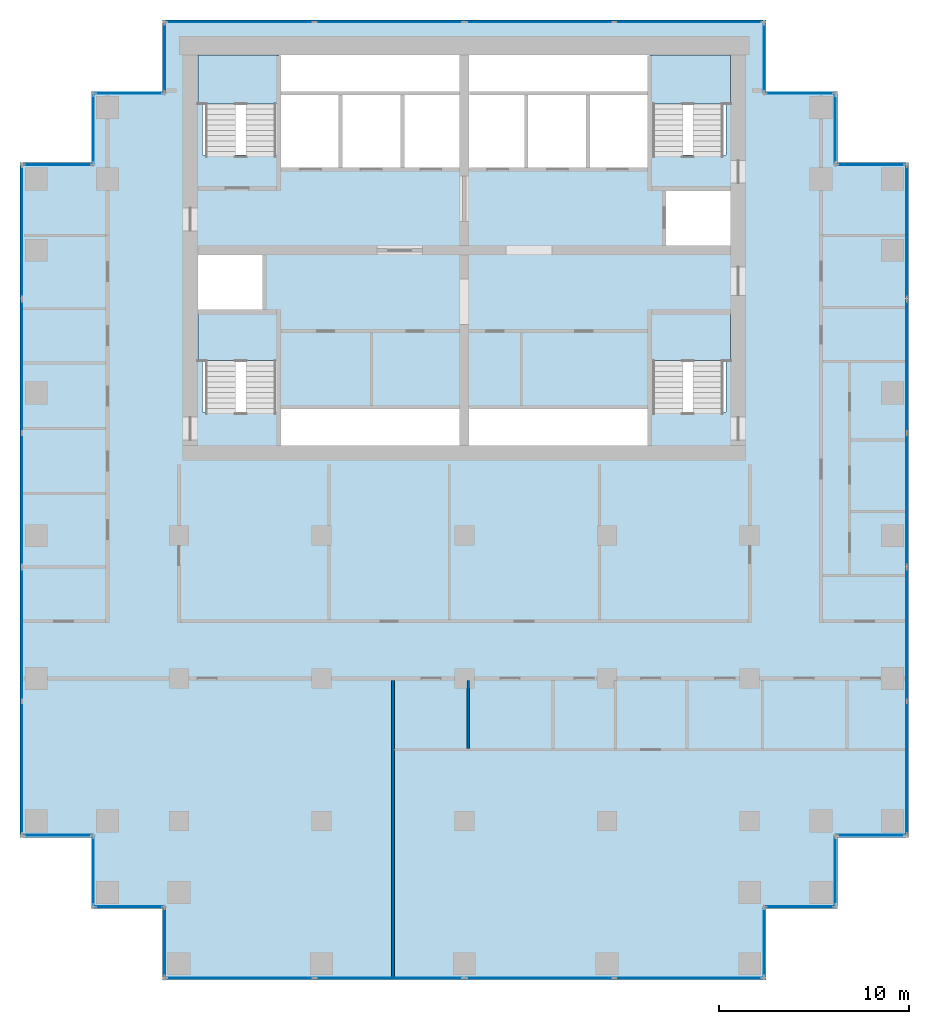
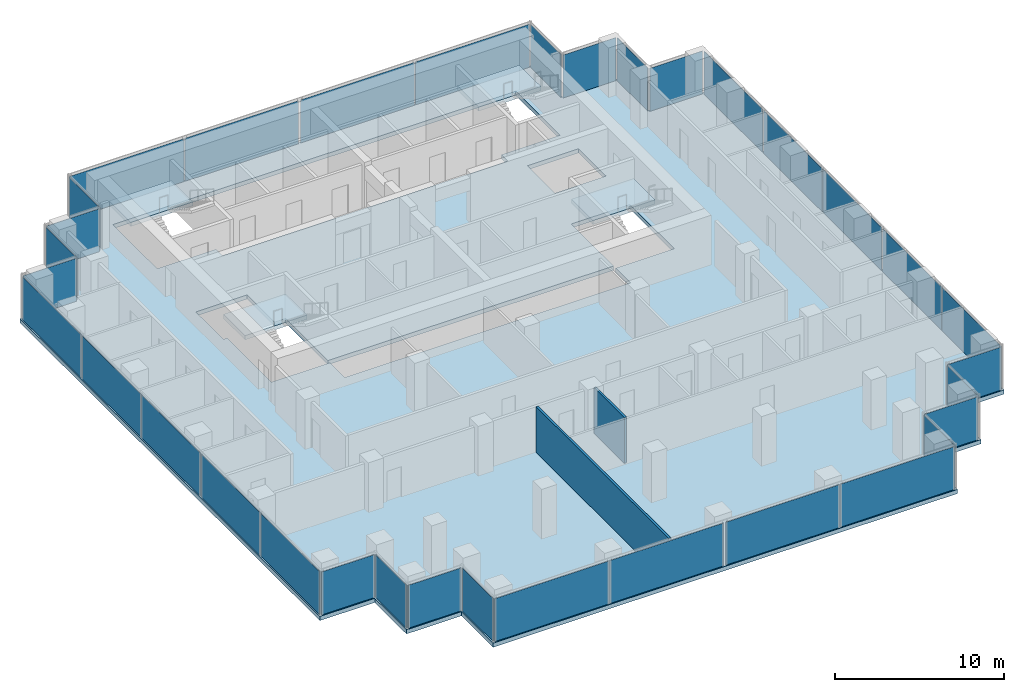
# One storey, part 6 of 10: 34 plates, 5 slabs, 2 walls, 30 elements without a shape of their own.
"""IFC4 building model written with IfcOpenShell, lengths in metres."""

from ifc_helpers import new_model, si_unit, direction, frame, frame_2d, origin, origin_2d, place, context, subcontext, project, spatial, polyline, rectangle, outline, extrude, material, layer, layer_set, type_object, element, aggregate, save


model = new_model("IFC4")

# Units and contexts
model_context = context("Model", 3, precision=1e-05, world=origin(), true_north=direction((0.0, 1.0)))
body_context = subcontext(model_context, "Body", "Model", "MODEL_VIEW")
ifc_project = project(units=[si_unit("LENGTHUNIT", "METRE"), si_unit("AREAUNIT", "SQUARE_METRE"), si_unit("VOLUMEUNIT", "CUBIC_METRE"), si_unit("PLANEANGLEUNIT", "RADIAN"), si_unit("MASSUNIT", "GRAM", prefix="KILO")], contexts=[model_context])

# Site, building, storey
site_placement = place(None, origin())
site = spatial("IfcSite", under=ifc_project, at=site_placement, CompositionType="ELEMENT")
building_placement = place(site_placement, origin())
building = spatial("IfcBuilding", under=site, at=building_placement, Name="Pilkhan Gate Tower", CompositionType="ELEMENT")
storey_placement = place(building_placement, frame((0.0, 0.0, 162.10009765625)))
storey = spatial("IfcBuildingStorey", under=building, at=storey_placement, Name="L41", CompositionType="ELEMENT", Elevation=162.10009765625)

# Slab
ifc_material_1 = material(Name="Concrete C40/50", Category="concrete")
ifc_layer_1 = layer(ifc_material_1, 0.300048828125)
ifc_layer_set_1 = layer_set([ifc_layer_1], Name="Flat plate slab FP300")
slab_type_1 = type_object("IfcSlabType", Name="Flat plate slab FP300", PredefinedType="FLOOR", material=ifc_layer_set_1)
slab_1_placement = place(storey_placement, frame((0.0, 0.0, -0.300048828125)))
element("IfcSlab", 1, at=slab_1_placement, inside=storey, type_object=slab_type_1, Name="Floor slab L41", PredefinedType="FLOOR", context=body_context, shape_type="SweptSolid", body=[
    extrude(outline(polyline([(94.60009765625, 47.89990234375), (90.85009765625, 47.89990234375), (90.85009765625, 44.14990234375), (59.14990234375, 44.14990234375), (59.14990234375, 47.89990234375), (55.39990234375, 47.89990234375), (55.39990234375, 51.64990234375), (51.64990234375, 51.64990234375), (51.64990234375, 87.10009765625), (55.39990234375, 87.10009765625), (55.39990234375, 90.85009765625), (59.14990234375, 90.85009765625), (59.14990234375, 94.60009765625), (90.85009765625, 94.60009765625), (90.85009765625, 90.85009765625), (94.60009765625, 90.85009765625), (94.60009765625, 87.10009765625), (98.35009765625, 87.10009765625), (98.35009765625, 51.64990234375), (94.60009765625, 51.64990234375), (94.60009765625, 47.89990234375)]), holes=[polyline([(75.0, 72.25), (84.75, 72.25), (84.75, 74.0), (88.75, 74.0), (88.75, 79.25), (84.75, 79.25), (84.75, 74.25), (75.0, 74.25), (65.25, 74.25), (65.25, 79.25), (64.5, 79.25), (64.5, 82.5), (61.25, 82.5), (61.0, 82.5), (61.0, 79.25), (61.25, 79.25), (61.25, 74.0), (65.25, 74.0), (65.25, 72.25), (75.0, 72.25)]), polyline([(68.5, 86.75), (71.75, 86.75), (75.0, 86.75), (78.25, 86.75), (81.5, 86.75), (84.75, 86.75), (84.75, 87.5), (88.75, 87.5), (88.75, 92.75), (84.75, 92.75), (75.0, 92.75), (65.25, 92.75), (61.25, 92.75), (61.25, 87.5), (65.25, 87.5), (65.25, 86.75), (68.5, 86.75)]), polyline([(85.5, 85.75), (85.5, 82.5), (88.75, 82.5), (89.0, 82.5), (89.0, 85.75), (88.75, 85.75), (85.5, 85.75)])]), origin(), (0.0, 0.0, 1.0), 0.300048828125),
])

# Curtain wall, plates
ifc_material_2 = material(Name="Pale anodised aluminium, clear low-iron double glazing", Category="aluminium")
curtain_wall_type = type_object("IfcCurtainWallType", Name="Office unitised curtain wall CW-O1", PredefinedType="USERDEFINED", material=ifc_material_2)
curtain_wall_1_placement = place(storey_placement, origin())
curtain_wall_1 = element("IfcCurtainWall", 2, at=curtain_wall_1_placement, inside=storey, type_object=curtain_wall_type, Name="Office unitised curtain wall CW-O1 L41 E", ObjectType="UNITISED CURTAIN WALL", PredefinedType="USERDEFINED")
ifc_material_3 = material(Name="Clear low-iron double glazing", Category="glass")
ifc_layer_2 = layer(ifc_material_3, 0.0400390625)
ifc_layer_set_2 = layer_set([ifc_layer_2], Name="Glass panel CW-O1 40")
plate_type = type_object("IfcPlateType", Name="Glass panel CW-O1 40", PredefinedType="CURTAIN_PANEL", material=ifc_layer_set_2)
plate_1_placement = place(storey_placement, frame((98.25, 55.29248046875, -0.000244140625), z_axis=(0.0, 0.0, 1.0), x_axis=(0.0, 1.0, 0.0)))
plate_1 = element("IfcPlate", 3, at=plate_1_placement, type_object=plate_type, Name="CW-O1 panel 1", PredefinedType="CURTAIN_PANEL", context=body_context, shape_type="SweptSolid", body=[
    extrude(rectangle(XDim=6.945068359375, YDim=0.0400390625, at=origin_2d()), origin(), (0.0, 0.0, 1.0), 3.10009765625),
])
plate_2_placement = place(storey_placement, frame((98.25, 62.3076171875, -0.000244140625), z_axis=(0.0, 0.0, 1.0), x_axis=(0.0, 1.0, 0.0)))
plate_2 = element("IfcPlate", 4, at=plate_2_placement, type_object=plate_type, Name="CW-O1 panel 2", PredefinedType="CURTAIN_PANEL", context=body_context, shape_type="SweptSolid", body=[
    extrude(rectangle(XDim=6.945068359375, YDim=0.0400390625, at=origin_2d()), origin(), (0.0, 0.0, 1.0), 3.10009765625),
])
aggregate(curtain_wall_1, [plate_1, plate_2])

curtain_wall_2_placement = place(storey_placement, origin())
curtain_wall_2 = element("IfcCurtainWall", 5, at=curtain_wall_2_placement, inside=storey, type_object=curtain_wall_type, Name="Office unitised curtain wall CW-O1 L41 E", ObjectType="UNITISED CURTAIN WALL", PredefinedType="USERDEFINED")
plate_3_placement = place(storey_placement, frame((98.25, 69.392578125, -0.000244140625), z_axis=(0.0, 0.0, 1.0), x_axis=(0.0, 1.0, 0.0)))
plate_3 = element("IfcPlate", 6, at=plate_3_placement, type_object=plate_type, Name="CW-O1 panel 1", PredefinedType="CURTAIN_PANEL", context=body_context, shape_type="SweptSolid", body=[
    extrude(rectangle(XDim=6.945068359375, YDim=0.0400390625, at=origin_2d()), origin(), (0.0, 0.0, 1.0), 3.10009765625),
])
plate_4_placement = place(storey_placement, frame((98.25, 76.407470703125, -0.000244140625), z_axis=(0.0, 0.0, 1.0), x_axis=(0.0, 1.0, 0.0)))
plate_4 = element("IfcPlate", 7, at=plate_4_placement, type_object=plate_type, Name="CW-O1 panel 2", PredefinedType="CURTAIN_PANEL", context=body_context, shape_type="SweptSolid", body=[
    extrude(rectangle(XDim=6.945068359375, YDim=0.0400390625, at=origin_2d()), origin(), (0.0, 0.0, 1.0), 3.10009765625),
])
aggregate(curtain_wall_2, [plate_3, plate_4])

# Curtain wall, plate
curtain_wall_3_placement = place(storey_placement, origin())
curtain_wall_3 = element("IfcCurtainWall", 8, at=curtain_wall_3_placement, inside=storey, type_object=curtain_wall_type, Name="Office unitised curtain wall CW-O1 L41 E", ObjectType="UNITISED CURTAIN WALL", PredefinedType="USERDEFINED")
plate_5_placement = place(storey_placement, frame((98.25, 83.47509765625, -0.000244140625), z_axis=(0.0, 0.0, 1.0), x_axis=(0.0, 1.0, 0.0)))
plate_5 = element("IfcPlate", 9, at=plate_5_placement, type_object=plate_type, Name="CW-O1 panel 1", PredefinedType="CURTAIN_PANEL", context=body_context, shape_type="SweptSolid", body=[
    extrude(rectangle(XDim=6.909912109375, YDim=0.0400390625, at=origin_2d()), origin(), (0.0, 0.0, 1.0), 3.10009765625),
])
aggregate(curtain_wall_3, [plate_5])

curtain_wall_4_placement = place(storey_placement, origin())
curtain_wall_4 = element("IfcCurtainWall", 10, at=curtain_wall_4_placement, inside=storey, type_object=curtain_wall_type, Name="Office unitised curtain wall CW-O1 L41 N", ObjectType="UNITISED CURTAIN WALL", PredefinedType="USERDEFINED")
plate_6_placement = place(storey_placement, frame((96.375, 87.0, -0.000244140625), z_axis=(0.0, 0.0, 1.0), x_axis=(1.0, 0.0, 0.0)))
plate_6 = element("IfcPlate", 11, at=plate_6_placement, type_object=plate_type, Name="CW-O1 panel 1", PredefinedType="CURTAIN_PANEL", context=body_context, shape_type="SweptSolid", body=[
    extrude(rectangle(XDim=3.610107421875, YDim=0.0400390625, at=origin_2d()), origin(), (0.0, 0.0, 1.0), 3.10009765625),
])
aggregate(curtain_wall_4, [plate_6])

curtain_wall_5_placement = place(storey_placement, origin())
curtain_wall_5 = element("IfcCurtainWall", 12, at=curtain_wall_5_placement, inside=storey, type_object=curtain_wall_type, Name="Office unitised curtain wall CW-O1 L41 E", ObjectType="UNITISED CURTAIN WALL", PredefinedType="USERDEFINED")
plate_7_placement = place(storey_placement, frame((94.5, 88.875, -0.000244140625), z_axis=(0.0, 0.0, 1.0), x_axis=(0.0, 1.0, 0.0)))
plate_7 = element("IfcPlate", 13, at=plate_7_placement, type_object=plate_type, Name="CW-O1 panel 1", PredefinedType="CURTAIN_PANEL", context=body_context, shape_type="SweptSolid", body=[
    extrude(rectangle(XDim=3.610107421875, YDim=0.0400390625, at=origin_2d()), origin(), (0.0, 0.0, 1.0), 3.10009765625),
])
aggregate(curtain_wall_5, [plate_7])

curtain_wall_6_placement = place(storey_placement, origin())
curtain_wall_6 = element("IfcCurtainWall", 14, at=curtain_wall_6_placement, inside=storey, type_object=curtain_wall_type, Name="Office unitised curtain wall CW-O1 L41 N", ObjectType="UNITISED CURTAIN WALL", PredefinedType="USERDEFINED")
plate_8_placement = place(storey_placement, frame((92.625, 90.75, -0.000244140625), z_axis=(0.0, 0.0, 1.0), x_axis=(1.0, 0.0, 0.0)))
plate_8 = element("IfcPlate", 15, at=plate_8_placement, type_object=plate_type, Name="CW-O1 panel 1", PredefinedType="CURTAIN_PANEL", context=body_context, shape_type="SweptSolid", body=[
    extrude(rectangle(XDim=3.610107421875, YDim=0.0400390625, at=origin_2d()), origin(), (0.0, 0.0, 1.0), 3.10009765625),
])
aggregate(curtain_wall_6, [plate_8])

curtain_wall_7_placement = place(storey_placement, origin())
curtain_wall_7 = element("IfcCurtainWall", 16, at=curtain_wall_7_placement, inside=storey, type_object=curtain_wall_type, Name="Office unitised curtain wall CW-O1 L41 E", ObjectType="UNITISED CURTAIN WALL", PredefinedType="USERDEFINED")
plate_9_placement = place(storey_placement, frame((90.75, 92.625, -0.000244140625), z_axis=(0.0, 0.0, 1.0), x_axis=(0.0, 1.0, 0.0)))
plate_9 = element("IfcPlate", 17, at=plate_9_placement, type_object=plate_type, Name="CW-O1 panel 1", PredefinedType="CURTAIN_PANEL", context=body_context, shape_type="SweptSolid", body=[
    extrude(rectangle(XDim=3.610107421875, YDim=0.0400390625, at=origin_2d()), origin(), (0.0, 0.0, 1.0), 3.10009765625),
])
aggregate(curtain_wall_7, [plate_9])

# Curtain wall, plates
curtain_wall_8_placement = place(storey_placement, origin())
curtain_wall_8 = element("IfcCurtainWall", 18, at=curtain_wall_8_placement, inside=storey, type_object=curtain_wall_type, Name="Office unitised curtain wall CW-O1 L41 N", ObjectType="UNITISED CURTAIN WALL", PredefinedType="USERDEFINED")
plate_10_placement = place(storey_placement, frame((63.205078125, 94.5, -0.000244140625), z_axis=(0.0, 0.0, 1.0), x_axis=(1.0, 0.0, 0.0)))
plate_10 = element("IfcPlate", 19, at=plate_10_placement, type_object=plate_type, Name="CW-O1 panel 1", PredefinedType="CURTAIN_PANEL", context=body_context, shape_type="SweptSolid", body=[
    extrude(rectangle(XDim=7.77001953125, YDim=0.0400390625, at=origin_2d()), origin(), (0.0, 0.0, 1.0), 3.10009765625),
])
plate_11_placement = place(storey_placement, frame((71.044921875, 94.5, -0.000244140625), z_axis=(0.0, 0.0, 1.0), x_axis=(1.0, 0.0, 0.0)))
plate_11 = element("IfcPlate", 20, at=plate_11_placement, type_object=plate_type, Name="CW-O1 panel 2", PredefinedType="CURTAIN_PANEL", context=body_context, shape_type="SweptSolid", body=[
    extrude(rectangle(XDim=7.77001953125, YDim=0.0400390625, at=origin_2d()), origin(), (0.0, 0.0, 1.0), 3.10009765625),
])
aggregate(curtain_wall_8, [plate_10, plate_11])

curtain_wall_9_placement = place(storey_placement, origin())
curtain_wall_9 = element("IfcCurtainWall", 21, at=curtain_wall_9_placement, inside=storey, type_object=curtain_wall_type, Name="Office unitised curtain wall CW-O1 L41 N", ObjectType="UNITISED CURTAIN WALL", PredefinedType="USERDEFINED")
plate_12_placement = place(storey_placement, frame((78.955078125, 94.5, -0.000244140625), z_axis=(0.0, 0.0, 1.0), x_axis=(1.0, 0.0, 0.0)))
plate_12 = element("IfcPlate", 22, at=plate_12_placement, type_object=plate_type, Name="CW-O1 panel 1", PredefinedType="CURTAIN_PANEL", context=body_context, shape_type="SweptSolid", body=[
    extrude(rectangle(XDim=7.77001953125, YDim=0.0400390625, at=origin_2d()), origin(), (0.0, 0.0, 1.0), 3.10009765625),
])
plate_13_placement = place(storey_placement, frame((86.794921875, 94.5, -0.000244140625), z_axis=(0.0, 0.0, 1.0), x_axis=(1.0, 0.0, 0.0)))
plate_13 = element("IfcPlate", 23, at=plate_13_placement, type_object=plate_type, Name="CW-O1 panel 2", PredefinedType="CURTAIN_PANEL", context=body_context, shape_type="SweptSolid", body=[
    extrude(rectangle(XDim=7.77001953125, YDim=0.0400390625, at=origin_2d()), origin(), (0.0, 0.0, 1.0), 3.10009765625),
])
aggregate(curtain_wall_9, [plate_12, plate_13])

# Curtain wall, plate
curtain_wall_10_placement = place(storey_placement, origin())
curtain_wall_10 = element("IfcCurtainWall", 24, at=curtain_wall_10_placement, inside=storey, type_object=curtain_wall_type, Name="Office unitised curtain wall CW-O1 L41 W", ObjectType="UNITISED CURTAIN WALL", PredefinedType="USERDEFINED")
plate_14_placement = place(storey_placement, frame((59.25, 92.625, -0.000244140625), z_axis=(0.0, 0.0, 1.0), x_axis=(0.0, 1.0, 0.0)))
plate_14 = element("IfcPlate", 25, at=plate_14_placement, type_object=plate_type, Name="CW-O1 panel 1", PredefinedType="CURTAIN_PANEL", context=body_context, shape_type="SweptSolid", body=[
    extrude(rectangle(XDim=3.610107421875, YDim=0.0400390625, at=origin_2d()), origin(), (0.0, 0.0, 1.0), 3.10009765625),
])
aggregate(curtain_wall_10, [plate_14])

curtain_wall_11_placement = place(storey_placement, origin())
curtain_wall_11 = element("IfcCurtainWall", 26, at=curtain_wall_11_placement, inside=storey, type_object=curtain_wall_type, Name="Office unitised curtain wall CW-O1 L41 N", ObjectType="UNITISED CURTAIN WALL", PredefinedType="USERDEFINED")
plate_15_placement = place(storey_placement, frame((57.375, 90.75, -0.000244140625), z_axis=(0.0, 0.0, 1.0), x_axis=(1.0, 0.0, 0.0)))
plate_15 = element("IfcPlate", 27, at=plate_15_placement, type_object=plate_type, Name="CW-O1 panel 1", PredefinedType="CURTAIN_PANEL", context=body_context, shape_type="SweptSolid", body=[
    extrude(rectangle(XDim=3.610107421875, YDim=0.0400390625, at=origin_2d()), origin(), (0.0, 0.0, 1.0), 3.10009765625),
])
aggregate(curtain_wall_11, [plate_15])

curtain_wall_12_placement = place(storey_placement, origin())
curtain_wall_12 = element("IfcCurtainWall", 28, at=curtain_wall_12_placement, inside=storey, type_object=curtain_wall_type, Name="Office unitised curtain wall CW-O1 L41 W", ObjectType="UNITISED CURTAIN WALL", PredefinedType="USERDEFINED")
plate_16_placement = place(storey_placement, frame((55.5, 88.875, -0.000244140625), z_axis=(0.0, 0.0, 1.0), x_axis=(0.0, 1.0, 0.0)))
plate_16 = element("IfcPlate", 29, at=plate_16_placement, type_object=plate_type, Name="CW-O1 panel 1", PredefinedType="CURTAIN_PANEL", context=body_context, shape_type="SweptSolid", body=[
    extrude(rectangle(XDim=3.610107421875, YDim=0.0400390625, at=origin_2d()), origin(), (0.0, 0.0, 1.0), 3.10009765625),
])
aggregate(curtain_wall_12, [plate_16])

curtain_wall_13_placement = place(storey_placement, origin())
curtain_wall_13 = element("IfcCurtainWall", 30, at=curtain_wall_13_placement, inside=storey, type_object=curtain_wall_type, Name="Office unitised curtain wall CW-O1 L41 N", ObjectType="UNITISED CURTAIN WALL", PredefinedType="USERDEFINED")
plate_17_placement = place(storey_placement, frame((53.625, 87.0, -0.000244140625), z_axis=(0.0, 0.0, 1.0), x_axis=(1.0, 0.0, 0.0)))
plate_17 = element("IfcPlate", 31, at=plate_17_placement, type_object=plate_type, Name="CW-O1 panel 1", PredefinedType="CURTAIN_PANEL", context=body_context, shape_type="SweptSolid", body=[
    extrude(rectangle(XDim=3.610107421875, YDim=0.0400390625, at=origin_2d()), origin(), (0.0, 0.0, 1.0), 3.10009765625),
])
aggregate(curtain_wall_13, [plate_17])

# Curtain wall, plates
curtain_wall_14_placement = place(storey_placement, origin())
curtain_wall_14 = element("IfcCurtainWall", 32, at=curtain_wall_14_placement, inside=storey, type_object=curtain_wall_type, Name="Office unitised curtain wall CW-O1 L41 W", ObjectType="UNITISED CURTAIN WALL", PredefinedType="USERDEFINED")
plate_18_placement = place(storey_placement, frame((51.75, 55.29248046875, -0.000244140625), z_axis=(0.0, 0.0, 1.0), x_axis=(0.0, 1.0, 0.0)))
plate_18 = element("IfcPlate", 33, at=plate_18_placement, type_object=plate_type, Name="CW-O1 panel 1", PredefinedType="CURTAIN_PANEL", context=body_context, shape_type="SweptSolid", body=[
    extrude(rectangle(XDim=6.945068359375, YDim=0.0400390625, at=origin_2d()), origin(), (0.0, 0.0, 1.0), 3.10009765625),
])
plate_19_placement = place(storey_placement, frame((51.75, 62.3076171875, -0.000244140625), z_axis=(0.0, 0.0, 1.0), x_axis=(0.0, 1.0, 0.0)))
plate_19 = element("IfcPlate", 34, at=plate_19_placement, type_object=plate_type, Name="CW-O1 panel 2", PredefinedType="CURTAIN_PANEL", context=body_context, shape_type="SweptSolid", body=[
    extrude(rectangle(XDim=6.945068359375, YDim=0.0400390625, at=origin_2d()), origin(), (0.0, 0.0, 1.0), 3.10009765625),
])
aggregate(curtain_wall_14, [plate_18, plate_19])

curtain_wall_15_placement = place(storey_placement, origin())
curtain_wall_15 = element("IfcCurtainWall", 35, at=curtain_wall_15_placement, inside=storey, type_object=curtain_wall_type, Name="Office unitised curtain wall CW-O1 L41 W", ObjectType="UNITISED CURTAIN WALL", PredefinedType="USERDEFINED")
plate_20_placement = place(storey_placement, frame((51.75, 69.392578125, -0.000244140625), z_axis=(0.0, 0.0, 1.0), x_axis=(0.0, 1.0, 0.0)))
plate_20 = element("IfcPlate", 36, at=plate_20_placement, type_object=plate_type, Name="CW-O1 panel 1", PredefinedType="CURTAIN_PANEL", context=body_context, shape_type="SweptSolid", body=[
    extrude(rectangle(XDim=6.945068359375, YDim=0.0400390625, at=origin_2d()), origin(), (0.0, 0.0, 1.0), 3.10009765625),
])
plate_21_placement = place(storey_placement, frame((51.75, 76.407470703125, -0.000244140625), z_axis=(0.0, 0.0, 1.0), x_axis=(0.0, 1.0, 0.0)))
plate_21 = element("IfcPlate", 37, at=plate_21_placement, type_object=plate_type, Name="CW-O1 panel 2", PredefinedType="CURTAIN_PANEL", context=body_context, shape_type="SweptSolid", body=[
    extrude(rectangle(XDim=6.945068359375, YDim=0.0400390625, at=origin_2d()), origin(), (0.0, 0.0, 1.0), 3.10009765625),
])
aggregate(curtain_wall_15, [plate_20, plate_21])

# Curtain wall, plate
curtain_wall_16_placement = place(storey_placement, origin())
curtain_wall_16 = element("IfcCurtainWall", 38, at=curtain_wall_16_placement, inside=storey, type_object=curtain_wall_type, Name="Office unitised curtain wall CW-O1 L41 W", ObjectType="UNITISED CURTAIN WALL", PredefinedType="USERDEFINED")
plate_22_placement = place(storey_placement, frame((51.75, 83.47509765625, -0.000244140625), z_axis=(0.0, 0.0, 1.0), x_axis=(0.0, 1.0, 0.0)))
plate_22 = element("IfcPlate", 39, at=plate_22_placement, type_object=plate_type, Name="CW-O1 panel 1", PredefinedType="CURTAIN_PANEL", context=body_context, shape_type="SweptSolid", body=[
    extrude(rectangle(XDim=6.909912109375, YDim=0.0400390625, at=origin_2d()), origin(), (0.0, 0.0, 1.0), 3.10009765625),
])
aggregate(curtain_wall_16, [plate_22])

curtain_wall_17_placement = place(storey_placement, origin())
curtain_wall_17 = element("IfcCurtainWall", 40, at=curtain_wall_17_placement, inside=storey, type_object=curtain_wall_type, Name="Office unitised curtain wall CW-O1 L41 S", ObjectType="UNITISED CURTAIN WALL", PredefinedType="USERDEFINED")
plate_23_placement = place(storey_placement, frame((53.625, 51.75, -0.000244140625), z_axis=(0.0, 0.0, 1.0), x_axis=(1.0, 0.0, 0.0)))
plate_23 = element("IfcPlate", 41, at=plate_23_placement, type_object=plate_type, Name="CW-O1 panel 1", PredefinedType="CURTAIN_PANEL", context=body_context, shape_type="SweptSolid", body=[
    extrude(rectangle(XDim=3.610107421875, YDim=0.0400390625, at=origin_2d()), origin(), (0.0, 0.0, 1.0), 3.10009765625),
])
aggregate(curtain_wall_17, [plate_23])

curtain_wall_18_placement = place(storey_placement, origin())
curtain_wall_18 = element("IfcCurtainWall", 42, at=curtain_wall_18_placement, inside=storey, type_object=curtain_wall_type, Name="Office unitised curtain wall CW-O1 L41 W", ObjectType="UNITISED CURTAIN WALL", PredefinedType="USERDEFINED")
plate_24_placement = place(storey_placement, frame((55.5, 49.875, -0.000244140625), z_axis=(0.0, 0.0, 1.0), x_axis=(0.0, 1.0, 0.0)))
plate_24 = element("IfcPlate", 43, at=plate_24_placement, type_object=plate_type, Name="CW-O1 panel 1", PredefinedType="CURTAIN_PANEL", context=body_context, shape_type="SweptSolid", body=[
    extrude(rectangle(XDim=3.610107421875, YDim=0.0400390625, at=origin_2d()), origin(), (0.0, 0.0, 1.0), 3.10009765625),
])
aggregate(curtain_wall_18, [plate_24])

curtain_wall_19_placement = place(storey_placement, origin())
curtain_wall_19 = element("IfcCurtainWall", 44, at=curtain_wall_19_placement, inside=storey, type_object=curtain_wall_type, Name="Office unitised curtain wall CW-O1 L41 S", ObjectType="UNITISED CURTAIN WALL", PredefinedType="USERDEFINED")
plate_25_placement = place(storey_placement, frame((57.375, 48.0, -0.000244140625), z_axis=(0.0, 0.0, 1.0), x_axis=(1.0, 0.0, 0.0)))
plate_25 = element("IfcPlate", 45, at=plate_25_placement, type_object=plate_type, Name="CW-O1 panel 1", PredefinedType="CURTAIN_PANEL", context=body_context, shape_type="SweptSolid", body=[
    extrude(rectangle(XDim=3.610107421875, YDim=0.0400390625, at=origin_2d()), origin(), (0.0, 0.0, 1.0), 3.10009765625),
])
aggregate(curtain_wall_19, [plate_25])

curtain_wall_20_placement = place(storey_placement, origin())
curtain_wall_20 = element("IfcCurtainWall", 46, at=curtain_wall_20_placement, inside=storey, type_object=curtain_wall_type, Name="Office unitised curtain wall CW-O1 L41 W", ObjectType="UNITISED CURTAIN WALL", PredefinedType="USERDEFINED")
plate_26_placement = place(storey_placement, frame((59.25, 46.125, -0.000244140625), z_axis=(0.0, 0.0, 1.0), x_axis=(0.0, 1.0, 0.0)))
plate_26 = element("IfcPlate", 47, at=plate_26_placement, type_object=plate_type, Name="CW-O1 panel 1", PredefinedType="CURTAIN_PANEL", context=body_context, shape_type="SweptSolid", body=[
    extrude(rectangle(XDim=3.610107421875, YDim=0.0400390625, at=origin_2d()), origin(), (0.0, 0.0, 1.0), 3.10009765625),
])
aggregate(curtain_wall_20, [plate_26])

# Curtain wall, plates
curtain_wall_21_placement = place(storey_placement, origin())
curtain_wall_21 = element("IfcCurtainWall", 48, at=curtain_wall_21_placement, inside=storey, type_object=curtain_wall_type, Name="Office unitised curtain wall CW-O1 L41 S", ObjectType="UNITISED CURTAIN WALL", PredefinedType="USERDEFINED")
plate_27_placement = place(storey_placement, frame((63.205078125, 44.25, -0.000244140625), z_axis=(0.0, 0.0, 1.0), x_axis=(1.0, 0.0, 0.0)))
plate_27 = element("IfcPlate", 49, at=plate_27_placement, type_object=plate_type, Name="CW-O1 panel 1", PredefinedType="CURTAIN_PANEL", context=body_context, shape_type="SweptSolid", body=[
    extrude(rectangle(XDim=7.77001953125, YDim=0.0400390625, at=origin_2d()), origin(), (0.0, 0.0, 1.0), 3.10009765625),
])
plate_28_placement = place(storey_placement, frame((71.044921875, 44.25, -0.000244140625), z_axis=(0.0, 0.0, 1.0), x_axis=(1.0, 0.0, 0.0)))
plate_28 = element("IfcPlate", 50, at=plate_28_placement, type_object=plate_type, Name="CW-O1 panel 2", PredefinedType="CURTAIN_PANEL", context=body_context, shape_type="SweptSolid", body=[
    extrude(rectangle(XDim=7.77001953125, YDim=0.0400390625, at=origin_2d()), origin(), (0.0, 0.0, 1.0), 3.10009765625),
])
aggregate(curtain_wall_21, [plate_27, plate_28])

curtain_wall_22_placement = place(storey_placement, origin())
curtain_wall_22 = element("IfcCurtainWall", 51, at=curtain_wall_22_placement, inside=storey, type_object=curtain_wall_type, Name="Office unitised curtain wall CW-O1 L41 S", ObjectType="UNITISED CURTAIN WALL", PredefinedType="USERDEFINED")
plate_29_placement = place(storey_placement, frame((78.955078125, 44.25, -0.000244140625), z_axis=(0.0, 0.0, 1.0), x_axis=(1.0, 0.0, 0.0)))
plate_29 = element("IfcPlate", 52, at=plate_29_placement, type_object=plate_type, Name="CW-O1 panel 1", PredefinedType="CURTAIN_PANEL", context=body_context, shape_type="SweptSolid", body=[
    extrude(rectangle(XDim=7.77001953125, YDim=0.0400390625, at=origin_2d()), origin(), (0.0, 0.0, 1.0), 3.10009765625),
])
plate_30_placement = place(storey_placement, frame((86.794921875, 44.25, -0.000244140625), z_axis=(0.0, 0.0, 1.0), x_axis=(1.0, 0.0, 0.0)))
plate_30 = element("IfcPlate", 53, at=plate_30_placement, type_object=plate_type, Name="CW-O1 panel 2", PredefinedType="CURTAIN_PANEL", context=body_context, shape_type="SweptSolid", body=[
    extrude(rectangle(XDim=7.77001953125, YDim=0.0400390625, at=origin_2d()), origin(), (0.0, 0.0, 1.0), 3.10009765625),
])
aggregate(curtain_wall_22, [plate_29, plate_30])

# Curtain wall, plate
curtain_wall_23_placement = place(storey_placement, origin())
curtain_wall_23 = element("IfcCurtainWall", 54, at=curtain_wall_23_placement, inside=storey, type_object=curtain_wall_type, Name="Office unitised curtain wall CW-O1 L41 E", ObjectType="UNITISED CURTAIN WALL", PredefinedType="USERDEFINED")
plate_31_placement = place(storey_placement, frame((90.75, 46.125, -0.000244140625), z_axis=(0.0, 0.0, 1.0), x_axis=(0.0, 1.0, 0.0)))
plate_31 = element("IfcPlate", 55, at=plate_31_placement, type_object=plate_type, Name="CW-O1 panel 1", PredefinedType="CURTAIN_PANEL", context=body_context, shape_type="SweptSolid", body=[
    extrude(rectangle(XDim=3.610107421875, YDim=0.0400390625, at=origin_2d()), origin(), (0.0, 0.0, 1.0), 3.10009765625),
])
aggregate(curtain_wall_23, [plate_31])

curtain_wall_24_placement = place(storey_placement, origin())
curtain_wall_24 = element("IfcCurtainWall", 56, at=curtain_wall_24_placement, inside=storey, type_object=curtain_wall_type, Name="Office unitised curtain wall CW-O1 L41 S", ObjectType="UNITISED CURTAIN WALL", PredefinedType="USERDEFINED")
plate_32_placement = place(storey_placement, frame((92.625, 48.0, -0.000244140625), z_axis=(0.0, 0.0, 1.0), x_axis=(1.0, 0.0, 0.0)))
plate_32 = element("IfcPlate", 57, at=plate_32_placement, type_object=plate_type, Name="CW-O1 panel 1", PredefinedType="CURTAIN_PANEL", context=body_context, shape_type="SweptSolid", body=[
    extrude(rectangle(XDim=3.610107421875, YDim=0.0400390625, at=origin_2d()), origin(), (0.0, 0.0, 1.0), 3.10009765625),
])
aggregate(curtain_wall_24, [plate_32])

curtain_wall_25_placement = place(storey_placement, origin())
curtain_wall_25 = element("IfcCurtainWall", 58, at=curtain_wall_25_placement, inside=storey, type_object=curtain_wall_type, Name="Office unitised curtain wall CW-O1 L41 E", ObjectType="UNITISED CURTAIN WALL", PredefinedType="USERDEFINED")
plate_33_placement = place(storey_placement, frame((94.5, 49.875, -0.000244140625), z_axis=(0.0, 0.0, 1.0), x_axis=(0.0, 1.0, 0.0)))
plate_33 = element("IfcPlate", 59, at=plate_33_placement, type_object=plate_type, Name="CW-O1 panel 1", PredefinedType="CURTAIN_PANEL", context=body_context, shape_type="SweptSolid", body=[
    extrude(rectangle(XDim=3.610107421875, YDim=0.0400390625, at=origin_2d()), origin(), (0.0, 0.0, 1.0), 3.10009765625),
])
aggregate(curtain_wall_25, [plate_33])

curtain_wall_26_placement = place(storey_placement, origin())
curtain_wall_26 = element("IfcCurtainWall", 60, at=curtain_wall_26_placement, inside=storey, type_object=curtain_wall_type, Name="Office unitised curtain wall CW-O1 L41 S", ObjectType="UNITISED CURTAIN WALL", PredefinedType="USERDEFINED")
plate_34_placement = place(storey_placement, frame((96.375, 51.75, -0.000244140625), z_axis=(0.0, 0.0, 1.0), x_axis=(1.0, 0.0, 0.0)))
plate_34 = element("IfcPlate", 61, at=plate_34_placement, type_object=plate_type, Name="CW-O1 panel 1", PredefinedType="CURTAIN_PANEL", context=body_context, shape_type="SweptSolid", body=[
    extrude(rectangle(XDim=3.610107421875, YDim=0.0400390625, at=origin_2d()), origin(), (0.0, 0.0, 1.0), 3.10009765625),
])
aggregate(curtain_wall_26, [plate_34])

# Stair, slab
ifc_material_4 = material(Name="Concrete C40/50 precast", Category="concrete")
stair_type_1 = type_object("IfcStairType", Name="Stair ST1 164x280", PredefinedType="HALF_TURN_STAIR", material=ifc_material_4)
stair_1_placement = place(storey_placement, origin())
stair_1 = element("IfcStair", 62, at=stair_1_placement, inside=storey, type_object=stair_type_1, Name="Stair ST1 L41", PredefinedType="HALF_TURN_STAIR")
ifc_layer_3 = layer(ifc_material_1, 0.199951171875)
ifc_layer_set_3 = layer_set([ifc_layer_3], Name="Stair landing SL200")
slab_type_2 = type_object("IfcSlabType", Name="Stair landing SL200", PredefinedType="LANDING", material=ifc_layer_set_3)
slab_2_placement = place(storey_placement, frame((0.0, 0.0, 1.5)))
slab_2 = element("IfcSlab", 63, at=slab_2_placement, type_object=slab_type_2, Name="ST1 landing 1", PredefinedType="LANDING", context=body_context, shape_type="SweptSolid", body=[
    extrude(outline(polyline([(89.0, 76.699951171875), (89.0, 79.25), (84.75, 79.25), (84.75, 76.699951171875), (89.0, 76.699951171875)])), origin(), (0.0, 0.0, 1.0), 0.2998046875),
])
aggregate(stair_1, [slab_2])

stair_type_2 = type_object("IfcStairType", Name="Stair ST2 164x280", PredefinedType="HALF_TURN_STAIR", material=ifc_material_4)
stair_2_placement = place(storey_placement, origin())
stair_2 = element("IfcStair", 64, at=stair_2_placement, inside=storey, type_object=stair_type_2, Name="Stair ST2 L41", PredefinedType="HALF_TURN_STAIR")
slab_3_placement = place(storey_placement, frame((0.0, 0.0, 1.5)))
slab_3 = element("IfcSlab", 65, at=slab_3_placement, type_object=slab_type_2, Name="ST2 landing 1", PredefinedType="LANDING", context=body_context, shape_type="SweptSolid", body=[
    extrude(outline(polyline([(65.25, 76.699951171875), (65.25, 79.25), (61.0, 79.25), (61.0, 76.699951171875), (65.25, 76.699951171875)])), origin(), (0.0, 0.0, 1.0), 0.2998046875),
])
aggregate(stair_2, [slab_3])

stair_type_3 = type_object("IfcStairType", Name="Stair ST3 164x280", PredefinedType="HALF_TURN_STAIR", material=ifc_material_4)
stair_3_placement = place(storey_placement, origin())
stair_3 = element("IfcStair", 66, at=stair_3_placement, inside=storey, type_object=stair_type_3, Name="Stair ST3 L41", PredefinedType="HALF_TURN_STAIR")
slab_4_placement = place(storey_placement, frame((0.0, 0.0, 1.5)))
slab_4 = element("IfcSlab", 67, at=slab_4_placement, type_object=slab_type_2, Name="ST3 landing 1", PredefinedType="LANDING", context=body_context, shape_type="SweptSolid", body=[
    extrude(outline(polyline([(65.25, 90.199951171875), (65.25, 92.75), (61.0, 92.75), (61.0, 90.199951171875), (65.25, 90.199951171875)])), origin(), (0.0, 0.0, 1.0), 0.2998046875),
])
aggregate(stair_3, [slab_4])

stair_type_4 = type_object("IfcStairType", Name="Stair ST4 164x280", PredefinedType="HALF_TURN_STAIR", material=ifc_material_4)
stair_4_placement = place(storey_placement, origin())
stair_4 = element("IfcStair", 68, at=stair_4_placement, inside=storey, type_object=stair_type_4, Name="Stair ST4 L41", PredefinedType="HALF_TURN_STAIR")
slab_5_placement = place(storey_placement, frame((0.0, 0.0, 1.5)))
slab_5 = element("IfcSlab", 69, at=slab_5_placement, type_object=slab_type_2, Name="ST4 landing 1", PredefinedType="LANDING", context=body_context, shape_type="SweptSolid", body=[
    extrude(outline(polyline([(89.0, 90.199951171875), (89.0, 92.75), (84.75, 92.75), (84.75, 90.199951171875), (89.0, 90.199951171875)])), origin(), (0.0, 0.0, 1.0), 0.2998046875),
])
aggregate(stair_4, [slab_5])

# Walls
ifc_material_5 = material(Name="Blockwork partition, plastered both sides", Category="masonry")
ifc_layer_4 = layer(ifc_material_5, 0.14990234375)
ifc_layer_set_4 = layer_set([ifc_layer_4], Name="Partition PW150")
wall_type = type_object("IfcWallType", Name="Partition PW150", PredefinedType="PARTITIONING", material=ifc_layer_set_4)
wall_1_placement = place(storey_placement, frame((71.25, 44.235107421875, 0.0), z_axis=(0.0, 0.0, 1.0), x_axis=(0.0, 1.0, 0.0)))
element("IfcWall", 70, at=wall_1_placement, inside=storey, type_object=wall_type, Name="Partition L41", PredefinedType="PARTITIONING", context=body_context, shape_type="SweptSolid", body=[
    extrude(rectangle(XDim=15.664794921875, YDim=0.14990234375, at=frame_2d((7.83251953125, 0.0))), origin(), (0.0, 0.0, 1.0), 3.2998046875),
])
wall_2_placement = place(storey_placement, frame((75.205078125, 56.324951171875, 0.0), z_axis=(0.0, 0.0, 1.0), x_axis=(0.0, 1.0, 0.0)))
element("IfcWall", 71, at=wall_2_placement, inside=storey, type_object=wall_type, Name="Partition L41", PredefinedType="PARTITIONING", context=body_context, shape_type="SweptSolid", body=[
    extrude(rectangle(XDim=3.574951171875, YDim=0.14990234375, at=frame_2d((1.78759765625, 0.0))), origin(), (0.0, 0.0, 1.0), 3.2998046875),
])

save(model, "model.ifc")
